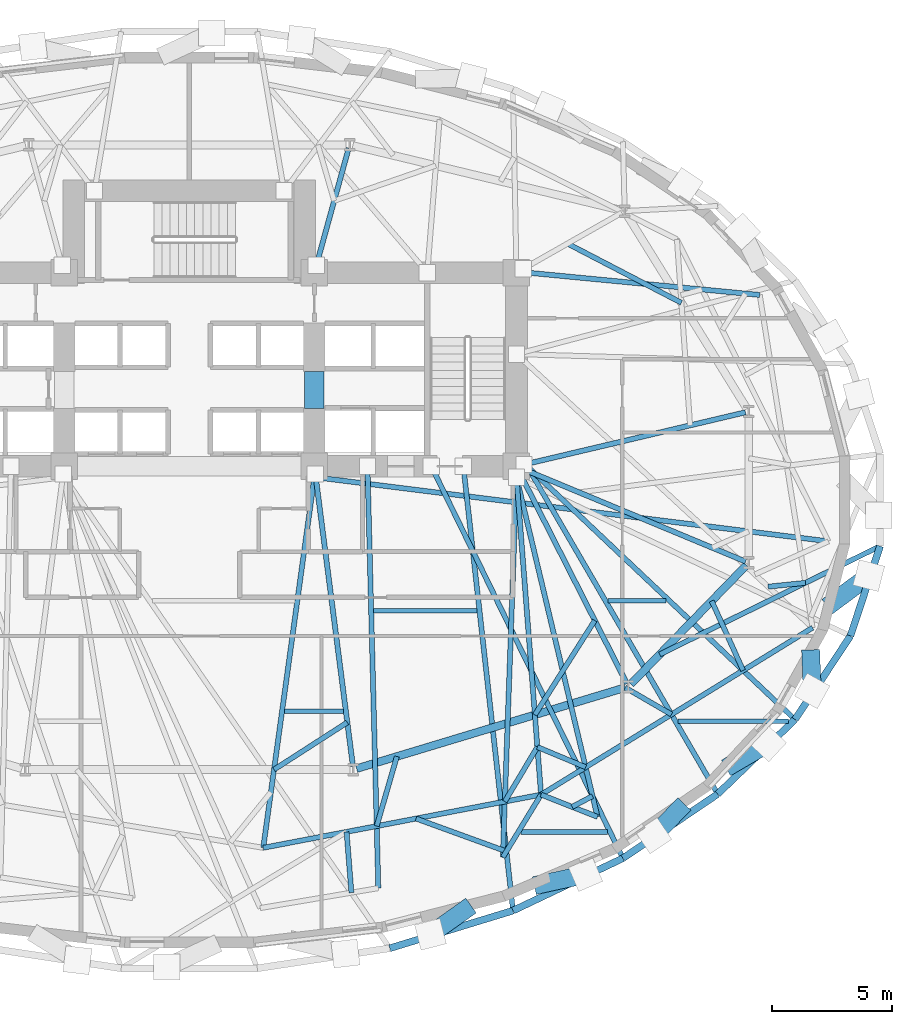
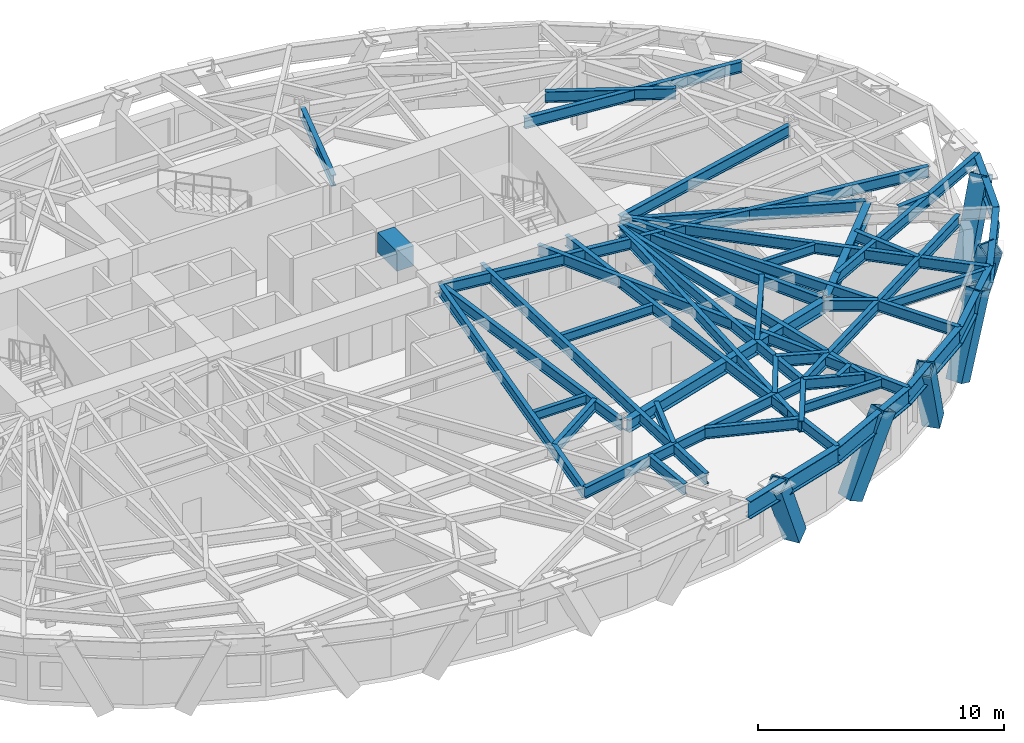
# One storey, part 3 of 14: 47 beams, 6 members.
"""IFC4 building model written with IfcOpenShell, lengths in metres."""

from ifc_helpers import new_model, si_unit, direction, frame, origin, origin_2d, place, context, subcontext, project, spatial, rectangle, hollow_rectangle, i_section, extrude, material, material_profile, profile_set, type_object, element, save


model = new_model("IFC4")

# Units and contexts
model_context = context("Model", 3, precision=1e-05, world=origin(), true_north=direction((0.0, 1.0)))
body_context = subcontext(model_context, "Body", "Model", "MODEL_VIEW")
ifc_project = project(units=[si_unit("LENGTHUNIT", "METRE"), si_unit("AREAUNIT", "SQUARE_METRE"), si_unit("VOLUMEUNIT", "CUBIC_METRE"), si_unit("PLANEANGLEUNIT", "RADIAN"), si_unit("MASSUNIT", "GRAM", prefix="KILO")], contexts=[model_context])

# Site, building, storey
site_placement = place(None, origin())
site = spatial("IfcSite", under=ifc_project, at=site_placement, CompositionType="ELEMENT")
building_placement = place(site_placement, origin())
building = spatial("IfcBuilding", under=site, at=building_placement, Name="Keldmark Tower", CompositionType="ELEMENT")
storey_placement = place(building_placement, frame((0.0, 0.0, 52.199951171875)))
storey = spatial("IfcBuildingStorey", under=building, at=storey_placement, Name="L13", CompositionType="ELEMENT", Elevation=52.199951171875)

# Beams
ifc_material_1 = material(Name="Steel ASTM A992 Grade 50", Category="steel")
ifc_material_profile_1 = material_profile(ifc_material_1, i_section(OverallWidth=0.19091796875, OverallDepth=0.45703125, WebThickness=0.009033203125, FlangeThickness=0.014404296875, at=origin_2d()), Name="W18X50")
ifc_profile_set_1 = profile_set([ifc_material_profile_1], Name="Steel ASTM A992 Grade 50")
beam_type_1 = type_object("IfcBeamType", Name="Composite Floor Joist W18X50", PredefinedType="JOIST", material=ifc_profile_set_1)
beam_1_placement = place(storey_placement, frame((13.787353515625, -13.800048828125, 3.171630859375), z_axis=(1.0, 0.0, 0.0), x_axis=(0.0, 1.0, 0.0)))
element("IfcBeam", 1, at=beam_1_placement, inside=storey, type_object=beam_type_1, Name="L13 Composite Floor Joist J02", PredefinedType="JOIST", context=body_context, shape_type="SweptSolid", body=[
    extrude(i_section(OverallWidth=0.19091796875, OverallDepth=0.45703125, WebThickness=0.009033203125, FlangeThickness=0.014404296875, at=origin_2d()), origin(), (0.0, 0.0, 1.0), 3.598388671875),
])
beam_2_placement = place(storey_placement, frame((3.955078125, -8.780029296875, 3.171630859375), z_axis=(1.0, 0.0, 0.0), x_axis=(0.0, 1.0, 0.0)))
element("IfcBeam", 2, at=beam_2_placement, inside=storey, type_object=beam_type_1, Name="L13 Composite Floor Joist J05", PredefinedType="JOIST", context=body_context, shape_type="SweptSolid", body=[
    extrude(i_section(OverallWidth=0.19091796875, OverallDepth=0.45703125, WebThickness=0.009033203125, FlangeThickness=0.014404296875, at=origin_2d()), origin(), (0.0, 0.0, 1.0), 2.4560546875),
])
beam_3_placement = place(storey_placement, frame((20.32177734375, -9.199951171875, 3.171630859375), z_axis=(1.0, 0.0, 0.0), x_axis=(0.0, 1.0, 0.0)))
element("IfcBeam", 3, at=beam_3_placement, inside=storey, type_object=beam_type_1, Name="L13 Composite Floor Joist J06", PredefinedType="JOIST", context=body_context, shape_type="SweptSolid", body=[
    extrude(i_section(OverallWidth=0.19091796875, OverallDepth=0.45703125, WebThickness=0.009033203125, FlangeThickness=0.014404296875, at=origin_2d()), origin(), (0.0, 0.0, 1.0), 4.57568359375),
])
beam_4_placement = place(storey_placement, frame((7.65771484375, -4.60009765625, 3.171630859375), z_axis=(1.0, 0.0, 0.0), x_axis=(0.0, 1.0, 0.0)))
element("IfcBeam", 4, at=beam_4_placement, inside=storey, type_object=beam_type_1, Name="L13 Composite Floor Joist J10", PredefinedType="JOIST", context=body_context, shape_type="SweptSolid", body=[
    extrude(i_section(OverallWidth=0.19091796875, OverallDepth=0.45703125, WebThickness=0.009033203125, FlangeThickness=0.014404296875, at=origin_2d()), origin(), (0.0, 0.0, 1.0), 4.309326171875),
])
beam_5_placement = place(storey_placement, frame((17.404296875, -4.179931640625, 3.171630859375), z_axis=(1.0, 0.0, 0.0), x_axis=(0.0, 1.0, 0.0)))
element("IfcBeam", 5, at=beam_5_placement, inside=storey, type_object=beam_type_1, Name="L13 Composite Floor Joist J11", PredefinedType="JOIST", context=body_context, shape_type="SweptSolid", body=[
    extrude(i_section(OverallWidth=0.19091796875, OverallDepth=0.45703125, WebThickness=0.009033203125, FlangeThickness=0.014404296875, at=origin_2d()), origin(), (0.0, 0.0, 1.0), 2.404296875),
])
ifc_material_2 = material(Name="Concrete C70/85", Category="concrete")
ifc_material_profile_2 = material_profile(ifc_material_2, rectangle(XDim=0.800048828125, YDim=1.0, at=origin_2d()), Name="RCB800X1000")
ifc_profile_set_2 = profile_set([ifc_material_profile_2], Name="Concrete C70/85")
beam_type_2 = type_object("IfcBeamType", Name="Core Coupling Beam RCB800X1000", PredefinedType="USERDEFINED", material=ifc_profile_set_2)
beam_6_placement = place(storey_placement, frame((5.199951171875, 3.800048828125, 2.900146484375), z_axis=(0.0, 1.0, 0.0), x_axis=(-1.0, 0.0, 0.0)))
element("IfcBeam", 6, at=beam_6_placement, inside=storey, type_object=beam_type_2, Name="L13 East Core Coupling Beam", ObjectType="COUPLING BEAM", PredefinedType="USERDEFINED", context=body_context, shape_type="SweptSolid", body=[
    extrude(rectangle(XDim=0.800048828125, YDim=1.0, at=origin_2d()), origin(), (0.0, 0.0, 1.0), 1.550048828125),
])

# Members
ifc_material_3 = material(Name="Steel ASTM A572 Grade 50", Category="steel")
ifc_material_profile_3 = material_profile(ifc_material_3, hollow_rectangle(XDim=0.75, YDim=0.75, WallThickness=0.06494140625, at=origin_2d()), Name="BOX750X750X65")
ifc_profile_set_3 = profile_set([ifc_material_profile_3], Name="Steel ASTM A572 Grade 50")
member_type = type_object("IfcMemberType", Name="Diagrid Lower Brace BOX750X750X65", PredefinedType="BRACE", material=ifc_profile_set_3)
member_1_placement = place(storey_placement, frame((11.43505859375, -17.053466796875, -0.280029296875), z_axis=(-0.356080423896, -0.25235989148, 0.899733970066), x_axis=(0.578225217347, -0.815877195431, 0.0)))
element("IfcMember", 7, at=member_1_placement, inside=storey, type_object=member_type, Name="L13 Perimeter Diagrid Brace 13B", PredefinedType="BRACE", context=body_context, shape_type="SweptSolid", body=[
    extrude(hollow_rectangle(XDim=0.75, YDim=0.75, WallThickness=0.06494140625, at=origin_2d()), origin(), (0.0, 0.0, 1.0), 3.956787109375),
])
member_2_placement = place(storey_placement, frame((14.66943359375, -15.958984375, -0.280029296875), z_axis=(0.450082978255, 0.09878088894, 0.88750642176), x_axis=(-0.214370413449, 0.976752438358, 0.0)))
element("IfcMember", 8, at=member_2_placement, inside=storey, type_object=member_type, Name="L13 Perimeter Diagrid Brace 14A", PredefinedType="BRACE", context=body_context, shape_type="SweptSolid", body=[
    extrude(hollow_rectangle(XDim=0.75, YDim=0.75, WallThickness=0.06494140625, at=origin_2d()), origin(), (0.0, 0.0, 1.0), 4.01123046875),
])
member_3_placement = place(storey_placement, frame((20.339111328125, -12.8837890625, -0.280029296875), z_axis=(-0.269028595419, -0.277125388321, 0.92240182892), x_axis=(0.717510872688, -0.696547304621, 0.0)))
element("IfcMember", 9, at=member_3_placement, inside=storey, type_object=member_type, Name="L13 Perimeter Diagrid Brace 14B", PredefinedType="BRACE", context=body_context, shape_type="SweptSolid", body=[
    extrude(hollow_rectangle(XDim=0.75, YDim=0.75, WallThickness=0.06494140625, at=origin_2d()), origin(), (0.0, 0.0, 1.0), 3.859619140625),
])
member_4_placement = place(storey_placement, frame((22.60498046875, -10.9677734375, -0.280029296875), z_axis=(0.369409349961, 0.216005299432, 0.903813278713), x_axis=(-0.504771318248, 0.863253100935, 0.0)))
element("IfcMember", 10, at=member_4_placement, inside=storey, type_object=member_type, Name="L13 Perimeter Diagrid Brace 15A", PredefinedType="BRACE", context=body_context, shape_type="SweptSolid", body=[
    extrude(hollow_rectangle(XDim=0.75, YDim=0.75, WallThickness=0.06494140625, at=origin_2d()), origin(), (0.0, 0.0, 1.0), 3.93896484375),
])
member_5_placement = place(storey_placement, frame((25.842041015625, -6.579345703125, -0.280029296875), z_axis=(0.013262024553, -0.356408901392, 0.934235951842), x_axis=(0.999308420884, 0.03718440466, 0.0)))
element("IfcMember", 11, at=member_5_placement, inside=storey, type_object=member_type, Name="L13 Perimeter Diagrid Brace 15B", PredefinedType="BRACE", context=body_context, shape_type="SweptSolid", body=[
    extrude(hollow_rectangle(XDim=0.75, YDim=0.75, WallThickness=0.06494140625, at=origin_2d()), origin(), (0.0, 0.0, 1.0), 3.810546875),
])
member_6_placement = place(storey_placement, frame((26.7900390625, -4.230224609375, -0.280029296875), z_axis=(0.364217028896, 0.271666073046, 0.890810586274), x_axis=(-0.597889773807, 0.801578329533, 0.0)))
element("IfcMember", 12, at=member_6_placement, inside=storey, type_object=member_type, Name="L13 Perimeter Diagrid Brace 16A", PredefinedType="BRACE", context=body_context, shape_type="SweptSolid", body=[
    extrude(hollow_rectangle(XDim=0.75, YDim=0.75, WallThickness=0.06494140625, at=origin_2d()), origin(), (0.0, 0.0, 1.0), 3.996337890625),
])

# Beams
ifc_material_4 = material(Name="Steel ASTM A992 Grade 50", Category="steel")
ifc_material_profile_4 = material_profile(ifc_material_4, i_section(OverallWidth=0.323974609375, OverallDepth=0.611083984375, WebThickness=0.0126953125, FlangeThickness=0.01904296875, at=origin_2d()), Name="W24X104")
ifc_profile_set_4 = profile_set([ifc_material_profile_4], Name="Steel ASTM A992 Grade 50")
beam_type_3 = type_object("IfcBeamType", Name="Primary Floor Girder W24X104", PredefinedType="BEAM", material=ifc_profile_set_4)
beam_7_placement = place(storey_placement, frame((6.9560546875, -11.165283203125, 3.094482421875), z_axis=(0.957346071406, 0.2889437654, 0.0), x_axis=(-0.2889437654, 0.957346071406, 0.0)))
element("IfcBeam", 13, at=beam_7_placement, inside=storey, type_object=beam_type_3, Name="L13 Floor Ring Girder FG-R10", PredefinedType="BEAM", context=body_context, shape_type="SweptSolid", body=[
    extrude(i_section(OverallWidth=0.323974609375, OverallDepth=0.611083984375, WebThickness=0.0126953125, FlangeThickness=0.01904296875, at=origin_2d()), origin(), (0.0, 0.0, 1.0), 11.66015625),
])
beam_8_placement = place(storey_placement, frame((18.350341796875, -7.6552734375, 3.094482421875), z_axis=(0.697210382268, 0.716866572563, 0.0), x_axis=(-0.716866572563, 0.697210382268, 0.0)))
element("IfcBeam", 14, at=beam_8_placement, inside=storey, type_object=beam_type_3, Name="L13 Floor Ring Girder FG-R11", PredefinedType="BEAM", context=body_context, shape_type="SweptSolid", body=[
    extrude(i_section(OverallWidth=0.323974609375, OverallDepth=0.611083984375, WebThickness=0.0126953125, FlangeThickness=0.01904296875, at=origin_2d()), origin(), (0.0, 0.0, 1.0), 6.893310546875),
])
ifc_material_5 = material(Name="Steel ASTM A992 Grade 50", Category="steel")
ifc_material_profile_5 = material_profile(ifc_material_5, i_section(OverallWidth=0.2099609375, OverallDepth=0.537109375, WebThickness=0.010986328125, FlangeThickness=0.017333984375, at=origin_2d()), Name="W21X68")
ifc_profile_set_5 = profile_set([ifc_material_profile_5], Name="Steel ASTM A992 Grade 50")
beam_type_4 = type_object("IfcBeamType", Name="Radial Tie Girder W21X68", PredefinedType="BEAM", material=ifc_profile_set_5)
beam_9_placement = place(storey_placement, frame((15.72216796875, 10.65673828125, 3.131591796875), z_axis=(0.887372595298, -0.461053009006, 0.0), x_axis=(0.461053009006, 0.887372595298, 0.0)))
element("IfcBeam", 15, at=beam_9_placement, inside=storey, type_object=beam_type_4, Name="L13 Framing Pin Header PH-001", PredefinedType="BEAM", context=body_context, shape_type="SweptSolid", body=[
    extrude(i_section(OverallWidth=0.2099609375, OverallDepth=0.537109375, WebThickness=0.010986328125, FlangeThickness=0.017333984375, at=origin_2d()), origin(), (0.0, 0.0, 1.0), 5.3349609375),
])
beam_10_placement = place(storey_placement, frame((5.199951171875, 0.949951171875, 3.131591796875), z_axis=(0.992290952912, -0.123930080165, 0.0), x_axis=(0.123930080165, 0.992290952912, 0.0)))
element("IfcBeam", 16, at=beam_10_placement, inside=storey, type_object=beam_type_4, Name="L13 Sub-Ring Step Girder STP1-M12", PredefinedType="BEAM", context=body_context, shape_type="SweptSolid", body=[
    extrude(i_section(OverallWidth=0.2099609375, OverallDepth=0.537109375, WebThickness=0.010986328125, FlangeThickness=0.017333984375, at=origin_2d()), origin(), (0.0, 0.0, 1.0), 21.533935546875),
])
beam_11_placement = place(storey_placement, frame((14.050048828125, 9.449951171875, 3.131591796875), z_axis=(0.995416446011, -0.095635239374, 0.0), x_axis=(0.095635239374, 0.995416446011, 0.0)))
element("IfcBeam", 17, at=beam_11_placement, inside=storey, type_object=beam_type_4, Name="L13 Sub-Ring Step Girder STP2-M01", PredefinedType="BEAM", context=body_context, shape_type="SweptSolid", body=[
    extrude(i_section(OverallWidth=0.2099609375, OverallDepth=0.537109375, WebThickness=0.010986328125, FlangeThickness=0.017333984375, at=origin_2d()), origin(), (0.0, 0.0, 1.0), 9.705810546875),
])
beam_12_placement = place(storey_placement, frame((6.569580078125, -9.24462890625, 3.131591796875), z_axis=(-0.840788499688, -0.54136373982, 0.0), x_axis=(0.54136373982, -0.840788499688, 0.0)))
element("IfcBeam", 18, at=beam_12_placement, inside=storey, type_object=beam_type_4, Name="L13 Framing Pin Header PH-012", PredefinedType="BEAM", context=body_context, shape_type="SweptSolid", body=[
    extrude(i_section(OverallWidth=0.2099609375, OverallDepth=0.537109375, WebThickness=0.010986328125, FlangeThickness=0.017333984375, at=origin_2d()), origin(), (0.0, 0.0, 1.0), 3.62255859375),
])
beam_13_placement = place(storey_placement, frame((5.199951171875, 0.949951171875, 3.131591796875), z_axis=(-0.136610835548, -0.990624792548, 0.0), x_axis=(0.990624792548, -0.136610835548, 0.0)))
element("IfcBeam", 19, at=beam_13_placement, inside=storey, type_object=beam_type_4, Name="L13 Sub-Ring Step Girder STP2-M10", PredefinedType="BEAM", context=body_context, shape_type="SweptSolid", body=[
    extrude(i_section(OverallWidth=0.2099609375, OverallDepth=0.537109375, WebThickness=0.010986328125, FlangeThickness=0.017333984375, at=origin_2d()), origin(), (0.0, 0.0, 1.0), 15.551513671875),
])
beam_14_placement = place(storey_placement, frame((16.856201171875, -5.007080078125, 3.131591796875), z_axis=(-0.536106814886, -0.844150154316, 0.0), x_axis=(0.844150154316, -0.536106814886, 0.0)))
element("IfcBeam", 20, at=beam_14_placement, inside=storey, type_object=beam_type_4, Name="L13 Framing Pin Header PH-013", PredefinedType="BEAM", context=body_context, shape_type="SweptSolid", body=[
    extrude(i_section(OverallWidth=0.2099609375, OverallDepth=0.537109375, WebThickness=0.010986328125, FlangeThickness=0.017333984375, at=origin_2d()), origin(), (0.0, 0.0, 1.0), 4.64599609375),
])
beam_15_placement = place(storey_placement, frame((13.60009765625, 0.949951171875, 3.131591796875), z_axis=(0.077269171964, -0.997010268284, 0.0), x_axis=(0.997010268284, 0.077269171964, 0.0)))
element("IfcBeam", 21, at=beam_15_placement, inside=storey, type_object=beam_type_4, Name="L13 Sub-Ring Step Girder STP2-M11", PredefinedType="BEAM", context=body_context, shape_type="SweptSolid", body=[
    extrude(i_section(OverallWidth=0.2099609375, OverallDepth=0.537109375, WebThickness=0.010986328125, FlangeThickness=0.017333984375, at=origin_2d()), origin(), (0.0, 0.0, 1.0), 13.235595703125),
])
beam_16_placement = place(storey_placement, frame((3.075439453125, -14.455810546875, 3.131591796875), z_axis=(0.982178443835, 0.187950803314, 0.0), x_axis=(-0.187950803314, 0.982178443835, 0.0)))
element("IfcBeam", 22, at=beam_16_placement, inside=storey, type_object=beam_type_4, Name="L13 Perimeter Collector Ring Beam CRG2-M10", PredefinedType="BEAM", context=body_context, shape_type="SweptSolid", body=[
    extrude(i_section(OverallWidth=0.2099609375, OverallDepth=0.537109375, WebThickness=0.010986328125, FlangeThickness=0.017333984375, at=origin_2d()), origin(), (0.0, 0.0, 1.0), 11.7568359375),
])
beam_17_placement = place(storey_placement, frame((14.622802734375, -12.24609375, 3.131591796875), z_axis=(0.851865826009, 0.52376007339, 0.0), x_axis=(-0.52376007339, 0.851865826009, 0.0)))
element("IfcBeam", 23, at=beam_17_placement, inside=storey, type_object=beam_type_4, Name="L13 Perimeter Collector Ring Beam CRG2-M11", PredefinedType="BEAM", context=body_context, shape_type="SweptSolid", body=[
    extrude(i_section(OverallWidth=0.2099609375, OverallDepth=0.537109375, WebThickness=0.010986328125, FlangeThickness=0.017333984375, at=origin_2d()), origin(), (0.0, 0.0, 1.0), 13.24560546875),
])
beam_18_placement = place(storey_placement, frame((8.630615234375, -10.659912109375, 3.131591796875), z_axis=(-0.278390630459, -0.96046793641, 0.0), x_axis=(0.96046793641, -0.278390630459, 0.0)))
element("IfcBeam", 24, at=beam_18_placement, inside=storey, type_object=beam_type_4, Name="L13 Framing Pin Header PH-035", PredefinedType="BEAM", context=body_context, shape_type="SweptSolid", body=[
    extrude(i_section(OverallWidth=0.2099609375, OverallDepth=0.537109375, WebThickness=0.010986328125, FlangeThickness=0.017333984375, at=origin_2d()), origin(), (0.0, 0.0, 1.0), 3.012451171875),
])
beam_19_placement = place(storey_placement, frame((7.406982421875, 1.39990234375, 3.131591796875), z_axis=(0.025741046464, -0.999668644365, 0.0), x_axis=(0.999668644365, 0.025741046464, 0.0)))
element("IfcBeam", 25, at=beam_19_placement, inside=storey, type_object=beam_type_4, Name="L13 Intermediate Radial Step Girder RT-26M", PredefinedType="BEAM", context=body_context, shape_type="SweptSolid", body=[
    extrude(i_section(OverallWidth=0.2099609375, OverallDepth=0.537109375, WebThickness=0.010986328125, FlangeThickness=0.017333984375, at=origin_2d()), origin(), (0.0, 0.0, 1.0), 17.536865234375),
])
beam_20_placement = place(storey_placement, frame((6.539794921875, -13.79296875, 3.131591796875), z_axis=(0.078868704113, -0.996885012181, 0.0), x_axis=(0.996885012181, 0.078868704113, 0.0)))
element("IfcBeam", 26, at=beam_20_placement, inside=storey, type_object=beam_type_4, Name="L13 Framing Pin Header PH-036", PredefinedType="BEAM", context=body_context, shape_type="SweptSolid", body=[
    extrude(i_section(OverallWidth=0.2099609375, OverallDepth=0.537109375, WebThickness=0.010986328125, FlangeThickness=0.017333984375, at=origin_2d()), origin(), (0.0, 0.0, 1.0), 2.53515625),
])
beam_21_placement = place(storey_placement, frame((14.46923828125, -10.266845703125, 3.131591796875), z_axis=(-0.512400327549, -0.85874670557, 0.0), x_axis=(0.85874670557, -0.512400327549, 0.0)))
element("IfcBeam", 27, at=beam_21_placement, inside=storey, type_object=beam_type_4, Name="L13 Framing Pin Header PH-037", PredefinedType="BEAM", context=body_context, shape_type="SweptSolid", body=[
    extrude(i_section(OverallWidth=0.2099609375, OverallDepth=0.537109375, WebThickness=0.010986328125, FlangeThickness=0.017333984375, at=origin_2d()), origin(), (0.0, 0.0, 1.0), 2.640625),
])
beam_22_placement = place(storey_placement, frame((13.60009765625, 0.949951171875, 3.131591796875), z_axis=(-0.035857324681, -0.999356919357, 0.0), x_axis=(0.999356919357, -0.035857324681, 0.0)))
element("IfcBeam", 28, at=beam_22_placement, inside=storey, type_object=beam_type_4, Name="L13 Intermediate Radial Step Girder RT-27M", PredefinedType="BEAM", context=body_context, shape_type="SweptSolid", body=[
    extrude(i_section(OverallWidth=0.2099609375, OverallDepth=0.537109375, WebThickness=0.010986328125, FlangeThickness=0.017333984375, at=origin_2d()), origin(), (0.0, 0.0, 1.0), 15.809814453125),
])
beam_23_placement = place(storey_placement, frame((14.622802734375, -12.24609375, 3.131591796875), z_axis=(-0.521106806692, -0.8534914739, 0.0), x_axis=(0.8534914739, -0.521106806692, 0.0)))
element("IfcBeam", 29, at=beam_23_placement, inside=storey, type_object=beam_type_4, Name="L13 Local Collector Chord RT-27C", PredefinedType="BEAM", context=body_context, shape_type="SweptSolid", body=[
    extrude(i_section(OverallWidth=0.2099609375, OverallDepth=0.537109375, WebThickness=0.010986328125, FlangeThickness=0.017333984375, at=origin_2d()), origin(), (0.0, 0.0, 1.0), 3.050537109375),
])
beam_24_placement = place(storey_placement, frame((9.426513671875, -13.240478515625, 3.131591796875), z_axis=(0.93984871028, -0.3415909861, 0.0), x_axis=(0.3415909861, 0.93984871028, 0.0)))
element("IfcBeam", 30, at=beam_24_placement, inside=storey, type_object=beam_type_4, Name="L13 Framing Pin Header PH-038", PredefinedType="BEAM", context=body_context, shape_type="SweptSolid", body=[
    extrude(i_section(OverallWidth=0.2099609375, OverallDepth=0.537109375, WebThickness=0.010986328125, FlangeThickness=0.017333984375, at=origin_2d()), origin(), (0.0, 0.0, 1.0), 3.99609375),
])
beam_25_placement = place(storey_placement, frame((11.392822265625, 1.39990234375, 3.131591796875), z_axis=(0.111109236073, -0.993808199634, 0.0), x_axis=(0.993808199634, 0.111109236073, 0.0)))
element("IfcBeam", 31, at=beam_25_placement, inside=storey, type_object=beam_type_4, Name="L13 Perimeter Radial Tie Girder RT-27", PredefinedType="BEAM", context=body_context, shape_type="SweptSolid", body=[
    extrude(i_section(OverallWidth=0.2099609375, OverallDepth=0.537109375, WebThickness=0.010986328125, FlangeThickness=0.017333984375, at=origin_2d()), origin(), (0.0, 0.0, 1.0), 18.58251953125),
])
beam_26_placement = place(storey_placement, frame((14.46923828125, -10.266845703125, 3.131591796875), z_axis=(0.922591495556, -0.385778346111, 0.0), x_axis=(0.385778346111, 0.922591495556, 0.0)))
element("IfcBeam", 32, at=beam_26_placement, inside=storey, type_object=beam_type_4, Name="L13 Framing Pin Header PH-039", PredefinedType="BEAM", context=body_context, shape_type="SweptSolid", body=[
    extrude(i_section(OverallWidth=0.2099609375, OverallDepth=0.537109375, WebThickness=0.010986328125, FlangeThickness=0.017333984375, at=origin_2d()), origin(), (0.0, 0.0, 1.0), 2.17578125),
])
beam_27_placement = place(storey_placement, frame((13.60009765625, 0.949951171875, 3.131591796875), z_axis=(0.232071415583, -0.972698749906, 0.0), x_axis=(0.972698749906, 0.232071415583, 0.0)))
element("IfcBeam", 33, at=beam_27_placement, inside=storey, type_object=beam_type_4, Name="L13 Intermediate Radial Step Girder RT-28M", PredefinedType="BEAM", context=body_context, shape_type="SweptSolid", body=[
    extrude(i_section(OverallWidth=0.2099609375, OverallDepth=0.537109375, WebThickness=0.010986328125, FlangeThickness=0.017333984375, at=origin_2d()), origin(), (0.0, 0.0, 1.0), 14.517578125),
])
beam_28_placement = place(storey_placement, frame((14.622802734375, -12.24609375, 3.131591796875), z_axis=(0.930281305225, -0.366846961482, 0.0), x_axis=(0.366846961482, 0.930281305225, 0.0)))
element("IfcBeam", 34, at=beam_28_placement, inside=storey, type_object=beam_type_4, Name="L13 Local Collector Chord RT-28C", PredefinedType="BEAM", context=body_context, shape_type="SweptSolid", body=[
    extrude(i_section(OverallWidth=0.2099609375, OverallDepth=0.537109375, WebThickness=0.010986328125, FlangeThickness=0.017333984375, at=origin_2d()), origin(), (0.0, 0.0, 1.0), 2.522216796875),
])
beam_29_placement = place(storey_placement, frame((15.913330078125, -12.755126953125, 3.131591796875), z_axis=(0.883559238507, 0.468319412419, 0.0), x_axis=(-0.468319412419, 0.883559238507, 0.0)))
element("IfcBeam", 35, at=beam_29_placement, inside=storey, type_object=beam_type_4, Name="L13 Framing Pin Header PH-040", PredefinedType="BEAM", context=body_context, shape_type="SweptSolid", body=[
    extrude(i_section(OverallWidth=0.2099609375, OverallDepth=0.537109375, WebThickness=0.010986328125, FlangeThickness=0.017333984375, at=origin_2d()), origin(), (0.0, 0.0, 1.0), 0.961181640625),
])
beam_30_placement = place(storey_placement, frame((10.064208984375, 1.39990234375, 3.131591796875), z_axis=(0.439110871729, -0.898432881371, 0.0), x_axis=(0.898432881371, 0.439110871729, 0.0)))
element("IfcBeam", 36, at=beam_30_placement, inside=storey, type_object=beam_type_4, Name="L13 Perimeter Radial Tie Girder RT-28", PredefinedType="BEAM", context=body_context, shape_type="SweptSolid", body=[
    extrude(i_section(OverallWidth=0.2099609375, OverallDepth=0.537109375, WebThickness=0.010986328125, FlangeThickness=0.017333984375, at=origin_2d()), origin(), (0.0, 0.0, 1.0), 18.13134765625),
])
beam_31_placement = place(storey_placement, frame((18.118896484375, -7.796142578125, 3.131591796875), z_axis=(0.864819683903, -0.502082577206, 0.0), x_axis=(0.502082577206, 0.864819683903, 0.0)))
element("IfcBeam", 37, at=beam_31_placement, inside=storey, type_object=beam_type_4, Name="L13 Framing Pin Header PH-041", PredefinedType="BEAM", context=body_context, shape_type="SweptSolid", body=[
    extrude(i_section(OverallWidth=0.2099609375, OverallDepth=0.537109375, WebThickness=0.010986328125, FlangeThickness=0.017333984375, at=origin_2d()), origin(), (0.0, 0.0, 1.0), 2.22509765625),
])
beam_32_placement = place(storey_placement, frame((14.050048828125, 1.39990234375, 3.131591796875), z_axis=(0.502438345356, -0.864613040103, 0.0), x_axis=(0.864613040103, 0.502438345356, 0.0)))
element("IfcBeam", 38, at=beam_32_placement, inside=storey, type_object=beam_type_4, Name="L13 Perimeter Radial Tie Girder RT-29", PredefinedType="BEAM", context=body_context, shape_type="SweptSolid", body=[
    extrude(i_section(OverallWidth=0.2099609375, OverallDepth=0.537109375, WebThickness=0.010986328125, FlangeThickness=0.017333984375, at=origin_2d()), origin(), (0.0, 0.0, 1.0), 15.752197265625),
])
beam_33_placement = place(storey_placement, frame((21.714599609375, -4.196044921875, 3.131591796875), z_axis=(0.4120780153, -0.911148565991, 0.0), x_axis=(0.911148565991, 0.4120780153, 0.0)))
element("IfcBeam", 39, at=beam_33_placement, inside=storey, type_object=beam_type_4, Name="L13 Framing Pin Header PH-042", PredefinedType="BEAM", context=body_context, shape_type="SweptSolid", body=[
    extrude(i_section(OverallWidth=0.2099609375, OverallDepth=0.537109375, WebThickness=0.010986328125, FlangeThickness=0.017333984375, at=origin_2d()), origin(), (0.0, 0.0, 1.0), 3.16845703125),
])
beam_34_placement = place(storey_placement, frame((14.050048828125, 1.39990234375, 3.131591796875), z_axis=(0.726566922466, -0.687095704526, 0.0), x_axis=(0.687095704526, 0.726566922466, 0.0)))
element("IfcBeam", 40, at=beam_34_placement, inside=storey, type_object=beam_type_4, Name="L13 Perimeter Radial Tie Girder RT-30", PredefinedType="BEAM", context=body_context, shape_type="SweptSolid", body=[
    extrude(i_section(OverallWidth=0.2099609375, OverallDepth=0.537109375, WebThickness=0.010986328125, FlangeThickness=0.017333984375, at=origin_2d()), origin(), (0.0, 0.0, 1.0), 15.314697265625),
])
beam_35_placement = place(storey_placement, frame((24.060302734375, -3.6025390625, 3.131591796875), z_axis=(0.994702848937, 0.102792228876, 0.0), x_axis=(-0.102792228876, 0.994702848937, 0.0)))
element("IfcBeam", 41, at=beam_35_placement, inside=storey, type_object=beam_type_4, Name="L13 Framing Pin Header PH-044", PredefinedType="BEAM", context=body_context, shape_type="SweptSolid", body=[
    extrude(i_section(OverallWidth=0.2099609375, OverallDepth=0.537109375, WebThickness=0.010986328125, FlangeThickness=0.017333984375, at=origin_2d()), origin(), (0.0, 0.0, 1.0), 1.55810546875),
])
beam_36_placement = place(storey_placement, frame((19.552001953125, -6.419921875, 3.131591796875), z_axis=(0.897458002061, 0.44109991446, 0.0), x_axis=(-0.44109991446, 0.897458002061, 0.0)))
element("IfcBeam", 42, at=beam_36_placement, inside=storey, type_object=beam_type_4, Name="L13 Perimeter Radial Tie Girder RT-32", PredefinedType="BEAM", context=body_context, shape_type="SweptSolid", body=[
    extrude(i_section(OverallWidth=0.2099609375, OverallDepth=0.537109375, WebThickness=0.010986328125, FlangeThickness=0.017333984375, at=origin_2d()), origin(), (0.0, 0.0, 1.0), 10.20849609375),
])
ifc_material_6 = material(Name="Steel ASTM A992 Grade 50", Category="steel")
ifc_material_profile_6 = material_profile(ifc_material_6, i_section(OverallWidth=0.214111328125, OverallDepth=0.549072265625, WebThickness=0.0146484375, FlangeThickness=0.023681640625, at=origin_2d()), Name="W21X93")
ifc_profile_set_6 = profile_set([ifc_material_profile_6], Name="Steel ASTM A992 Grade 50")
beam_type_5 = type_object("IfcBeamType", Name="Radial Tie Girder W21X93", PredefinedType="BEAM", material=ifc_profile_set_6)
beam_37_placement = place(storey_placement, frame((23.11767578125, 3.64501953125, 3.12548828125), z_axis=(-0.973287364179, -0.229590301909, 0.0), x_axis=(0.229590301909, -0.973287364179, 0.0)))
element("IfcBeam", 43, at=beam_37_placement, inside=storey, type_object=beam_type_5, Name="L13 Floor Radial Girder FG-C01", PredefinedType="BEAM", context=body_context, shape_type="SweptSolid", body=[
    extrude(i_section(OverallWidth=0.214111328125, OverallDepth=0.549072265625, WebThickness=0.0146484375, FlangeThickness=0.023681640625, at=origin_2d()), origin(), (0.0, 0.0, 1.0), 9.458740234375),
])
beam_38_placement = place(storey_placement, frame((6.6279296875, 14.625, 3.12548828125), z_axis=(-0.265984786353, -0.963977226613, 0.0), x_axis=(0.963977226613, -0.265984786353, 0.0)))
element("IfcBeam", 44, at=beam_38_placement, inside=storey, type_object=beam_type_5, Name="L13 Floor Radial Girder FG-C03", PredefinedType="BEAM", context=body_context, shape_type="SweptSolid", body=[
    extrude(i_section(OverallWidth=0.214111328125, OverallDepth=0.549072265625, WebThickness=0.0146484375, FlangeThickness=0.023681640625, at=origin_2d()), origin(), (0.0, 0.0, 1.0), 5.04833984375),
])
beam_39_placement = place(storey_placement, frame((6.80419921875, -11.06689453125, 3.12548828125), z_axis=(-0.127634898593, 0.99182122011, 0.0), x_axis=(-0.99182122011, -0.127634898593, 0.0)))
element("IfcBeam", 45, at=beam_39_placement, inside=storey, type_object=beam_type_5, Name="L13 Floor Radial Girder FG-C10", PredefinedType="BEAM", context=body_context, shape_type="SweptSolid", body=[
    extrude(i_section(OverallWidth=0.214111328125, OverallDepth=0.549072265625, WebThickness=0.0146484375, FlangeThickness=0.023681640625, at=origin_2d()), origin(), (0.0, 0.0, 1.0), 12.24951171875),
])
beam_40_placement = place(storey_placement, frame((18.189453125, -7.630859375, 3.12548828125), z_axis=(-0.453037526986, 0.891491446478, 0.0), x_axis=(-0.891491446478, -0.453037526986, 0.0)))
element("IfcBeam", 46, at=beam_40_placement, inside=storey, type_object=beam_type_5, Name="L13 Floor Radial Girder FG-C11", PredefinedType="BEAM", context=body_context, shape_type="SweptSolid", body=[
    extrude(i_section(OverallWidth=0.214111328125, OverallDepth=0.549072265625, WebThickness=0.0146484375, FlangeThickness=0.023681640625, at=origin_2d()), origin(), (0.0, 0.0, 1.0), 9.81005859375),
])
beam_41_placement = place(storey_placement, frame((23.124755859375, -2.5595703125, 3.12548828125), z_axis=(-0.923390978102, 0.383860784088, 0.0), x_axis=(-0.383860784088, -0.923390978102, 0.0)))
element("IfcBeam", 47, at=beam_41_placement, inside=storey, type_object=beam_type_5, Name="L13 Floor Radial Girder FG-C12", PredefinedType="BEAM", context=body_context, shape_type="SweptSolid", body=[
    extrude(i_section(OverallWidth=0.214111328125, OverallDepth=0.549072265625, WebThickness=0.0146484375, FlangeThickness=0.023681640625, at=origin_2d()), origin(), (0.0, 0.0, 1.0), 9.994873046875),
])
ifc_material_7 = material(Name="Steel ASTM A992 Grade 50", Category="steel")
ifc_material_profile_7 = material_profile(ifc_material_7, i_section(OverallWidth=0.2919921875, OverallDepth=0.85888671875, WebThickness=0.01708984375, FlangeThickness=0.031005859375, at=origin_2d()), Name="W33X169")
ifc_profile_set_7 = profile_set([ifc_material_profile_7], Name="Steel ASTM A992 Grade 50")
beam_type_6 = type_object("IfcBeamType", Name="Spandrel Ring Beam W33X169", PredefinedType="SPANDREL", material=ifc_profile_set_7)
beam_42_placement = place(storey_placement, frame((8.336669921875, -18.630126953125, 2.970458984375), z_axis=(0.956466543593, 0.291841996615, 0.0), x_axis=(-0.291841996615, 0.956466543593, 0.0)))
element("IfcBeam", 48, at=beam_42_placement, inside=storey, type_object=beam_type_6, Name="L13 Perimeter Spandrel Ring Beam SRB-26", PredefinedType="SPANDREL", context=body_context, shape_type="SweptSolid", body=[
    extrude(i_section(OverallWidth=0.2919921875, OverallDepth=0.85888671875, WebThickness=0.01708984375, FlangeThickness=0.031005859375, at=origin_2d()), origin(), (0.0, 0.0, 1.0), 5.35400390625),
])
beam_43_placement = place(storey_placement, frame((13.45751953125, -17.067626953125, 2.970458984375), z_axis=(0.902682101727, 0.430308056189, 0.0), x_axis=(-0.430308056189, 0.902682101727, 0.0)))
element("IfcBeam", 49, at=beam_43_placement, inside=storey, type_object=beam_type_6, Name="L13 Perimeter Spandrel Ring Beam SRB-27", PredefinedType="SPANDREL", context=body_context, shape_type="SweptSolid", body=[
    extrude(i_section(OverallWidth=0.2919921875, OverallDepth=0.85888671875, WebThickness=0.01708984375, FlangeThickness=0.031005859375, at=origin_2d()), origin(), (0.0, 0.0, 1.0), 5.060791015625),
])
beam_44_placement = place(storey_placement, frame((18.02587890625, -14.889892578125, 2.970458984375), z_axis=(0.827723442454, 0.561136260468, 0.0), x_axis=(-0.561136260468, 0.827723442454, 0.0)))
element("IfcBeam", 50, at=beam_44_placement, inside=storey, type_object=beam_type_6, Name="L13 Perimeter Spandrel Ring Beam SRB-28", PredefinedType="SPANDREL", context=body_context, shape_type="SweptSolid", body=[
    extrude(i_section(OverallWidth=0.2919921875, OverallDepth=0.85888671875, WebThickness=0.01708984375, FlangeThickness=0.031005859375, at=origin_2d()), origin(), (0.0, 0.0, 1.0), 4.758544921875),
])
beam_45_placement = place(storey_placement, frame((21.964599609375, -12.2197265625, 2.970458984375), z_axis=(0.719954614269, 0.694021147656, 0.0), x_axis=(-0.694021147656, 0.719954614269, 0.0)))
element("IfcBeam", 51, at=beam_45_placement, inside=storey, type_object=beam_type_6, Name="L13 Perimeter Spandrel Ring Beam SRB-29", PredefinedType="SPANDREL", context=body_context, shape_type="SweptSolid", body=[
    extrude(i_section(OverallWidth=0.2919921875, OverallDepth=0.85888671875, WebThickness=0.01708984375, FlangeThickness=0.031005859375, at=origin_2d()), origin(), (0.0, 0.0, 1.0), 4.46240234375),
])
beam_46_placement = place(storey_placement, frame((25.17724609375, -9.122802734375, 2.970458984375), z_axis=(0.553144350008, 0.833085426625, 0.0), x_axis=(-0.833085426625, 0.553144350008, 0.0)))
element("IfcBeam", 52, at=beam_46_placement, inside=storey, type_object=beam_type_6, Name="L13 Perimeter Spandrel Ring Beam SRB-30", PredefinedType="SPANDREL", context=body_context, shape_type="SweptSolid", body=[
    extrude(i_section(OverallWidth=0.2919921875, OverallDepth=0.85888671875, WebThickness=0.01708984375, FlangeThickness=0.031005859375, at=origin_2d()), origin(), (0.0, 0.0, 1.0), 4.1669921875),
])
beam_47_placement = place(storey_placement, frame((27.482177734375, -5.6513671875, 2.970458984375), z_axis=(0.31317140165, 0.949696621658, 0.0), x_axis=(-0.949696621658, 0.31317140165, 0.0)))
element("IfcBeam", 53, at=beam_47_placement, inside=storey, type_object=beam_type_6, Name="L13 Perimeter Spandrel Ring Beam SRB-31", PredefinedType="SPANDREL", context=body_context, shape_type="SweptSolid", body=[
    extrude(i_section(OverallWidth=0.2919921875, OverallDepth=0.85888671875, WebThickness=0.01708984375, FlangeThickness=0.031005859375, at=origin_2d()), origin(), (0.0, 0.0, 1.0), 3.93212890625),
])

save(model, "model.ifc")
